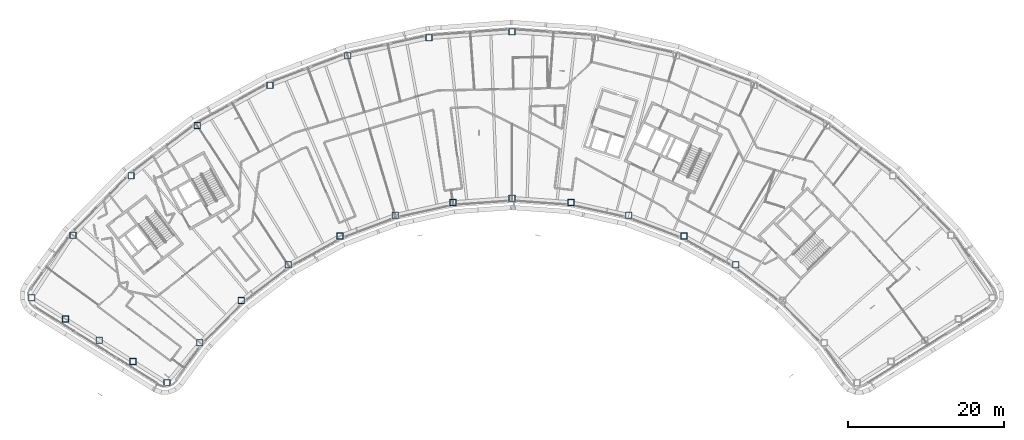
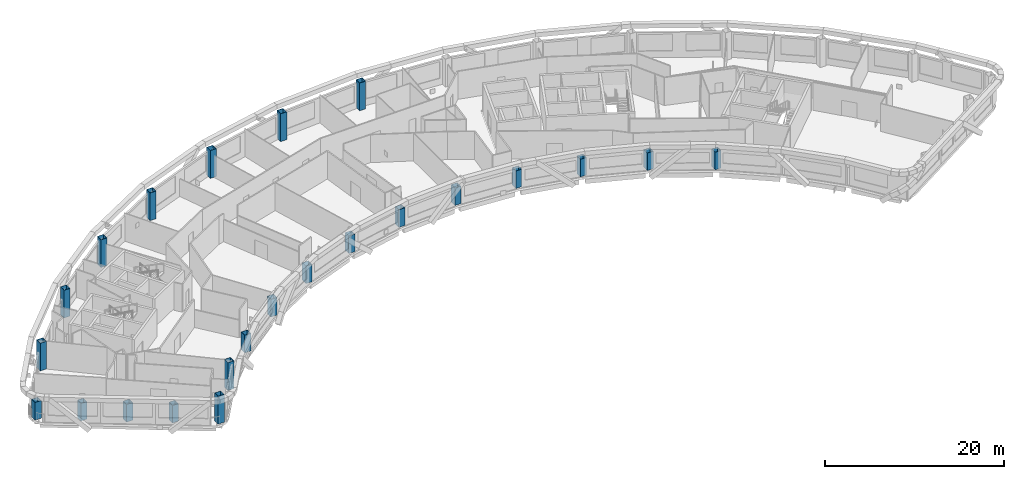
# One storey, part 1 of 21: 23 columns.
"""IFC4 building model written with IfcOpenShell, lengths in metres."""

from ifc_helpers import new_model, si_unit, direction, frame, origin, origin_2d, place, context, subcontext, project, spatial, hollow_rectangle, extrude, material, material_profile, profile_set, type_object, element, save


model = new_model("IFC4")

# Units and contexts
model_context = context("Model", 3, precision=1e-05, world=origin(), true_north=direction((0.0, 1.0)))
body_context = subcontext(model_context, "Body", "Model", "MODEL_VIEW")
ifc_project = project(units=[si_unit("LENGTHUNIT", "METRE"), si_unit("AREAUNIT", "SQUARE_METRE"), si_unit("VOLUMEUNIT", "CUBIC_METRE"), si_unit("PLANEANGLEUNIT", "RADIAN"), si_unit("MASSUNIT", "GRAM", prefix="KILO")], contexts=[model_context])

# Site, building, storey
site_placement = place(None, origin())
site = spatial("IfcSite", under=ifc_project, at=site_placement, CompositionType="ELEMENT")
building_placement = place(site_placement, origin())
building = spatial("IfcBuilding", under=site, at=building_placement, Name="Tuul Gate Civic Tower", CompositionType="ELEMENT")
storey_placement = place(building_placement, frame((0.0, 0.0, 273.60009765625)))
storey = spatial("IfcBuildingStorey", under=building, at=storey_placement, Name="Level 62", CompositionType="ELEMENT", Elevation=273.60009765625)

# Columns
ifc_material = material(Name="Steel S355", Category="steel")
ifc_material_profile = material_profile(ifc_material, hollow_rectangle(XDim=0.800048828125, YDim=0.800048828125, WallThickness=0.031982421875, at=origin_2d()), Name="BOX800x800x32")
ifc_profile_set = profile_set([ifc_material_profile], Name="Steel S355")
column_type = type_object("IfcColumnType", Name="STR-COLUMN-BOX800x800x32", PredefinedType="COLUMN", material=ifc_profile_set)
for number, where, z_axis, x_axis, name in (
    (1, (11.031005859375, 13.47412109375, 0.0), (0.0, 0.0, 1.0), (1.0, 0.0, 0.0), "Column"),
    (2, (0.381103515625, 12.702880859375, 0.0), (0.0, 0.0, 1.0), (1.0, 0.0, 0.0), "Column"),
    (3, (-10.0458984375, 10.405029296875, 0.0), (0.0, 0.0, 1.0), (1.0, 0.0, 0.0), "Column"),
    (4, (-20.032958984375, 6.6279296875, 0.0), (0.0, 0.0, 1.0), (1.0, 0.0, 0.0), "Column"),
    (5, (-29.37109375, 1.451904296875, 0.0), (0.0, 0.0, 1.0), (1.0, 0.0, 0.0), "Column"),
    (6, (-37.866943359375, -5.01708984375, 0.0), (0.0, 0.0, 1.0), (1.0, 0.0, 0.0), "Column"),
    (7, (-45.341064453125, -12.64208984375, 0.0), (0.0, 0.0, 1.0), (1.0, 0.0, 0.0), "Column"),
):
    element("IfcColumn", number, at=place(storey_placement, frame(where, z_axis=z_axis, x_axis=x_axis)), inside=storey, type_object=column_type, Name=name, PredefinedType="COLUMN", context=body_context, shape_type="SweptSolid", body=[
        extrude(hollow_rectangle(XDim=0.800048828125, YDim=0.800048828125, WallThickness=0.031982421875, at=origin_2d()), origin(), (0.0, 0.0, 1.0), 3.7998046875),
    ])
for number, where, z_axis, x_axis, name in (
    (8, (-50.639892578125, -20.654052734375, 0.0), (0.0, 0.0, 1.0), (1.0, 0.0, 0.0), "Column"),
    (9, (-46.298095703125, -23.388916015625, 0.0), (0.0, 0.0, 1.0), (1.0, 0.0, 0.0), "Column"),
    (10, (-41.955078125, -26.123046875, 0.0), (0.0, 0.0, 1.0), (1.0, 0.0, 0.0), "Column"),
    (11, (-37.613037109375, -28.85791015625, 0.0), (0.0, 0.0, 1.0), (1.0, 0.0, 0.0), "Column"),
):
    element("IfcColumn", number, at=place(storey_placement, frame(where, z_axis=z_axis, x_axis=x_axis)), inside=storey, type_object=column_type, Name=name, PredefinedType="COLUMN", context=body_context, shape_type="SweptSolid", body=[
        extrude(hollow_rectangle(XDim=0.800048828125, YDim=0.800048828125, WallThickness=0.031982421875, at=origin_2d()), origin(), (0.0, 0.0, 1.0), 2.39990234375),
    ])
for number, where, z_axis, x_axis, name in (
    (12, (-33.27001953125, -31.592041015625, 0.0), (0.0, 0.0, 1.0), (1.0, 0.0, 0.0), "Column"),
    (13, (-29.050048828125, -26.449951171875, 0.0), (0.0, 0.0, 1.0), (1.0, 0.0, 0.0), "Column"),
):
    element("IfcColumn", number, at=place(storey_placement, frame(where, z_axis=z_axis, x_axis=x_axis)), inside=storey, type_object=column_type, Name=name, PredefinedType="COLUMN", context=body_context, shape_type="SweptSolid", body=[
        extrude(hollow_rectangle(XDim=0.800048828125, YDim=0.800048828125, WallThickness=0.031982421875, at=origin_2d()), origin(), (0.0, 0.0, 1.0), 3.7998046875),
    ])
for number, where, z_axis, x_axis, name in (
    (14, (-23.736083984375, -21.029052734375, 0.0), (0.0, 0.0, 1.0), (1.0, 0.0, 0.0), "Column"),
    (15, (-17.696044921875, -16.429931640625, 0.0), (0.0, 0.0, 1.0), (1.0, 0.0, 0.0), "Column"),
    (16, (-11.055908203125, -12.7490234375, 0.0), (0.0, 0.0, 1.0), (1.0, 0.0, 0.0), "Column"),
    (17, (-3.955078125, -10.06396484375, 0.0), (0.0, 0.0, 1.0), (1.0, 0.0, 0.0), "Column"),
    (18, (3.458984375, -8.429931640625, 0.0), (0.0, 0.0, 1.0), (1.0, 0.0, 0.0), "Column"),
    (19, (11.031005859375, -7.882080078125, 0.0), (0.0, 0.0, 1.0), (1.0, 0.0, 0.0), "Column"),
    (20, (18.60302734375, -8.429931640625, 0.0), (0.0, 0.0, 1.0), (1.0, 0.0, 0.0), "Column"),
    (21, (26.01708984375, -10.06396484375, 0.0), (0.0, 0.0, 1.0), (1.0, 0.0, 0.0), "Column"),
    (22, (33.117919921875, -12.7490234375, 0.0), (0.0, 0.0, 1.0), (1.0, 0.0, 0.0), "Column"),
    (23, (39.757080078125, -16.429931640625, 0.0), (0.0, 0.0, 1.0), (1.0, 0.0, 0.0), "Column"),
):
    element("IfcColumn", number, at=place(storey_placement, frame(where, z_axis=z_axis, x_axis=x_axis)), inside=storey, type_object=column_type, Name=name, PredefinedType="COLUMN", context=body_context, shape_type="SweptSolid", body=[
        extrude(hollow_rectangle(XDim=0.800048828125, YDim=0.800048828125, WallThickness=0.031982421875, at=origin_2d()), origin(), (0.0, 0.0, 1.0), 2.39990234375),
    ])

save(model, "model.ifc")
